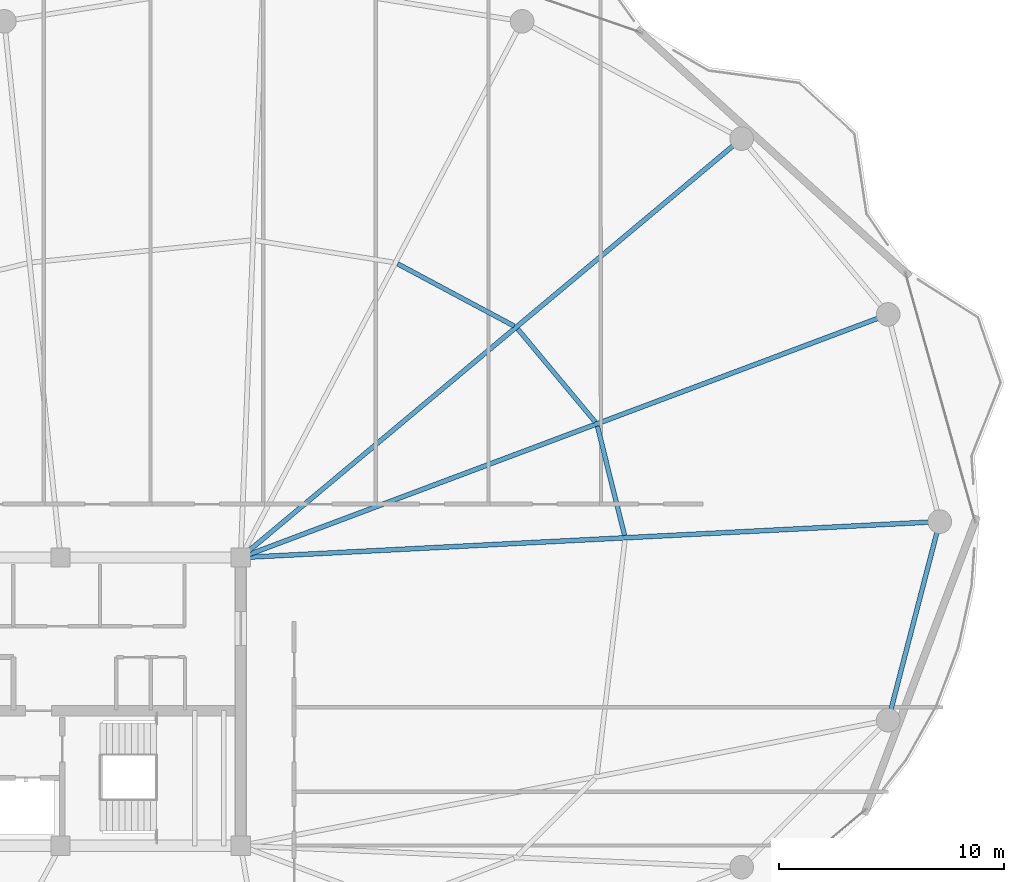
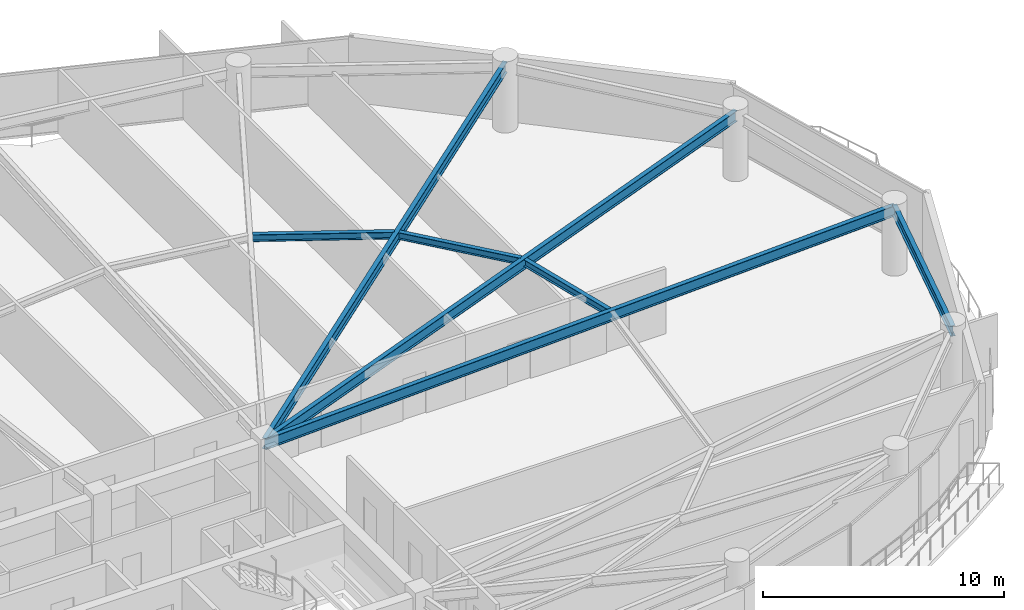
# One storey, part 14 of 29: 7 beams.
"""IFC4 building model written with IfcOpenShell, lengths in metres."""

from ifc_helpers import new_model, si_unit, direction, frame, origin, origin_2d, place, context, subcontext, project, spatial, i_section, extrude, material, material_profile, profile_set, type_object, element, save


model = new_model("IFC4")

# Units and contexts
model_context = context("Model", 3, precision=1e-05, world=origin(), true_north=direction((0.0, 1.0)))
body_context = subcontext(model_context, "Body", "Model", "MODEL_VIEW")
ifc_project = project(units=[si_unit("LENGTHUNIT", "METRE"), si_unit("AREAUNIT", "SQUARE_METRE"), si_unit("VOLUMEUNIT", "CUBIC_METRE"), si_unit("PLANEANGLEUNIT", "RADIAN"), si_unit("MASSUNIT", "GRAM", prefix="KILO")], contexts=[model_context])

# Site, building, storey
site_placement = place(None, origin())
site = spatial("IfcSite", under=ifc_project, at=site_placement, CompositionType="ELEMENT")
building_placement = place(site_placement, origin())
building = spatial("IfcBuilding", under=site, at=building_placement, Name="Kazevale Care Tower and Concert Hall", CompositionType="ELEMENT")
storey_placement = place(building_placement, frame((0.0, 0.0, 249.60009765625)))
storey = spatial("IfcBuildingStorey", under=building, at=storey_placement, Name="L66", CompositionType="ELEMENT", Elevation=249.60009765625)

# Beams
ifc_material = material(Name="Steel ASTM A572 Gr 50", Category="steel")
ifc_material_profile_1 = material_profile(ifc_material, i_section(OverallWidth=0.2119140625, OverallDepth=0.5439453125, WebThickness=0.01318359375, FlangeThickness=0.021240234375, at=origin_2d()), Name="W530x123")
ifc_profile_set_1 = profile_set([ifc_material_profile_1], Name="Steel ASTM A572 Gr 50")
beam_type_1 = type_object("IfcBeamType", Name="Radial Floor Girder W530x123", PredefinedType="BEAM", material=ifc_profile_set_1)
beam_1_placement = place(storey_placement, frame((44.0, 36.39990234375, 3.0078125), z_axis=(0.998674821251, 0.051464564506, 0.0), x_axis=(-0.051464564506, 0.998674821251, 0.0)))
element("IfcBeam", 1, at=beam_1_placement, inside=storey, type_object=beam_type_1, Name="beam:L66:rad:01", PredefinedType="BEAM", context=body_context, shape_type="SweptSolid", body=[
    extrude(i_section(OverallWidth=0.2119140625, OverallDepth=0.5439453125, WebThickness=0.01318359375, FlangeThickness=0.021240234375, at=origin_2d()), origin(), (0.0, 0.0, 1.0), 31.09130859375),
])
beam_2_placement = place(storey_placement, frame((44.0, 36.39990234375, 3.0078125), z_axis=(0.936168070124, 0.351552762015, 0.0), x_axis=(-0.351552762015, 0.936168070124, 0.0)))
element("IfcBeam", 2, at=beam_2_placement, inside=storey, type_object=beam_type_1, Name="beam:L66:rad:02", PredefinedType="BEAM", context=body_context, shape_type="SweptSolid", body=[
    extrude(i_section(OverallWidth=0.2119140625, OverallDepth=0.5439453125, WebThickness=0.01318359375, FlangeThickness=0.021240234375, at=origin_2d()), origin(), (0.0, 0.0, 1.0), 30.720947265625),
])
beam_3_placement = place(storey_placement, frame((44.0, 36.39990234375, 3.0078125), z_axis=(0.767059624015, 0.64157582031, 0.0), x_axis=(-0.64157582031, 0.767059624015, 0.0)))
element("IfcBeam", 3, at=beam_3_placement, inside=storey, type_object=beam_type_1, Name="beam:L66:rad:03", PredefinedType="BEAM", context=body_context, shape_type="SweptSolid", body=[
    extrude(i_section(OverallWidth=0.2119140625, OverallDepth=0.5439453125, WebThickness=0.01318359375, FlangeThickness=0.021240234375, at=origin_2d()), origin(), (0.0, 0.0, 1.0), 29.0068359375),
])
ifc_material_profile_2 = material_profile(ifc_material, i_section(OverallWidth=0.205078125, OverallDepth=0.35400390625, WebThickness=0.009521484375, FlangeThickness=0.016845703125, at=origin_2d()), Name="W360x79")
ifc_profile_set_2 = profile_set([ifc_material_profile_2], Name="Steel ASTM A572 Gr 50")
beam_type_2 = type_object("IfcBeamType", Name="Secondary Floor Joist W360x79", PredefinedType="JOIST", material=ifc_profile_set_2)
beam_4_placement = place(storey_placement, frame((61.052001953125, 37.382080078125, 3.102783203125), z_axis=(-0.241594204931, 0.970377369967, 0.0), x_axis=(-0.970377369967, -0.241594204931, 0.0)))
element("IfcBeam", 4, at=beam_4_placement, inside=storey, type_object=beam_type_2, Name="beam:L66:joist:01", PredefinedType="JOIST", context=body_context, shape_type="SweptSolid", body=[
    extrude(i_section(OverallWidth=0.205078125, OverallDepth=0.35400390625, WebThickness=0.009521484375, FlangeThickness=0.016845703125, at=origin_2d()), origin(), (0.0, 0.0, 1.0), 5.004150390625),
])
beam_5_placement = place(storey_placement, frame((59.7509765625, 42.4208984375, 3.102783203125), z_axis=(-0.640295940788, 0.768128314939, 0.0), x_axis=(-0.768128314939, -0.640295940788, 0.0)))
element("IfcBeam", 5, at=beam_5_placement, inside=storey, type_object=beam_type_2, Name="beam:L66:joist:02", PredefinedType="JOIST", context=body_context, shape_type="SweptSolid", body=[
    extrude(i_section(OverallWidth=0.205078125, OverallDepth=0.35400390625, WebThickness=0.009521484375, FlangeThickness=0.016845703125, at=origin_2d()), origin(), (0.0, 0.0, 1.0), 5.3818359375),
])
beam_6_placement = place(storey_placement, frame((56.14501953125, 46.68505859375, 3.102783203125), z_axis=(-0.881943890935, 0.471354403016, 0.0), x_axis=(-0.471354403016, -0.881943890935, 0.0)))
element("IfcBeam", 6, at=beam_6_placement, inside=storey, type_object=beam_type_2, Name="beam:L66:joist:03", PredefinedType="JOIST", context=body_context, shape_type="SweptSolid", body=[
    extrude(i_section(OverallWidth=0.205078125, OverallDepth=0.35400390625, WebThickness=0.009521484375, FlangeThickness=0.016845703125, at=origin_2d()), origin(), (0.0, 0.0, 1.0), 5.869873046875),
])
ifc_material_profile_3 = material_profile(ifc_material, i_section(OverallWidth=0.208984375, OverallDepth=0.532958984375, WebThickness=0.01025390625, FlangeThickness=0.015625, at=origin_2d()), Name="W530x92")
ifc_profile_set_3 = profile_set([ifc_material_profile_3], Name="Steel ASTM A572 Gr 50")
beam_type_3 = type_object("IfcBeamType", Name="Upper Ring Beam W530x92", PredefinedType="BEAM", material=ifc_profile_set_3)
beam_7_placement = place(storey_placement, frame((72.760009765625, 29.179931640625, 3.013427734375), z_axis=(0.251307095899, 0.96790740443, 0.0), x_axis=(-0.96790740443, 0.251307095899, 0.0)))
element("IfcBeam", 7, at=beam_7_placement, inside=storey, type_object=beam_type_3, Name="beam:L66:ring:16", PredefinedType="BEAM", context=body_context, shape_type="SweptSolid", body=[
    extrude(i_section(OverallWidth=0.208984375, OverallDepth=0.532958984375, WebThickness=0.01025390625, FlangeThickness=0.015625, at=origin_2d()), origin(), (0.0, 0.0, 1.0), 9.112548828125),
])

save(model, "model.ifc")
